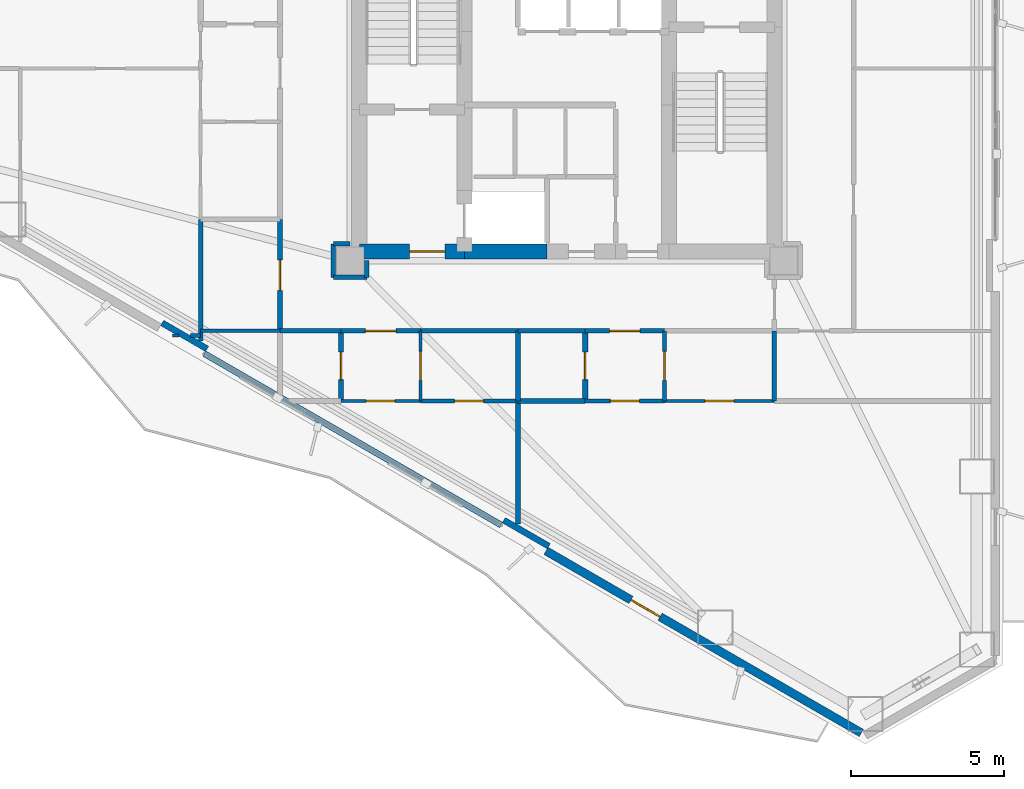
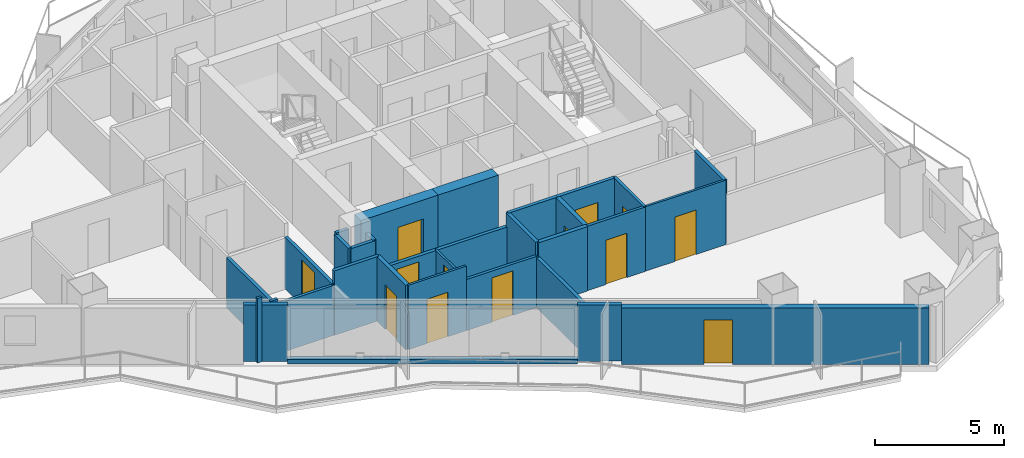
# One storey, part 16 of 23: 32 walls, 13 doors, 13 openings.
"""IFC4 building model written with IfcOpenShell, lengths in metres."""

from ifc_helpers import new_model, si_unit, direction, frame, frame_2d, origin, place, context, subcontext, project, spatial, rectangle, extrude, material, layer, layer_set, type_object, element, fill, save


model = new_model("IFC4")

# Units and contexts
model_context = context("Model", 3, precision=1e-05, world=origin(), true_north=direction((0.0, 1.0)))
body_context = subcontext(model_context, "Body", "Model", "MODEL_VIEW")
ifc_project = project(units=[si_unit("LENGTHUNIT", "METRE"), si_unit("AREAUNIT", "SQUARE_METRE"), si_unit("VOLUMEUNIT", "CUBIC_METRE"), si_unit("PLANEANGLEUNIT", "RADIAN"), si_unit("MASSUNIT", "GRAM", prefix="KILO")], contexts=[model_context])

# Site, building, storey
site_placement = place(None, origin())
site = spatial("IfcSite", under=ifc_project, at=site_placement, CompositionType="ELEMENT")
building_placement = place(site_placement, origin())
building = spatial("IfcBuilding", under=site, at=building_placement, Name="Mersakhor Tower and Convention Hall", CompositionType="ELEMENT")
storey_placement = place(building_placement, frame((0.0, 0.0, 93.300048828125)))
storey = spatial("IfcBuildingStorey", under=building, at=storey_placement, Name="L25", CompositionType="ELEMENT", Elevation=93.300048828125)

# Wall, opening, door
ifc_material_1 = material(Name="Precast concrete C45/55", Category="concrete")
ifc_layer_1 = layer(ifc_material_1, 0.27490234375)
ifc_layer_set_1 = layer_set([ifc_layer_1], Name="Precast concrete C45/55")
wall_type_1 = type_object("IfcWallType", Name="WL-EXT-275", PredefinedType="SOLIDWALL", material=ifc_layer_set_1)
wall_1_placement = place(storey_placement, frame((38.648681640625, 4.973388671875, 0.0), z_axis=(0.0, 0.0, 1.0), x_axis=(-0.866023023012, 0.500004123596, 0.0)))
wall_1 = element("IfcWall", 1, at=wall_1_placement, inside=storey, type_object=wall_type_1, Name="L25 Exterior Facade Wall F3-B1", PredefinedType="SOLIDWALL", context=body_context, shape_type="SweptSolid", body=[
    extrude(rectangle(XDim=11.9296875, YDim=0.27490234375, at=frame_2d((5.96484375, 0.0))), origin(), (0.0, 0.0, 1.0), 2.669921875),
])
opening_1_placement = place(wall_1_placement, frame((7.615966796875, 0.0, 0.0)))
opening_1 = element("IfcOpeningElement", 2, at=opening_1_placement, cuts=wall_1, Name="Opening BD-02", PredefinedType="OPENING", context=body_context, shape_type="SweptSolid", body=[
    extrude(rectangle(XDim=1.10009765625, YDim=2.10009765625, at=frame_2d((0.550048828125, 1.050048828125))), frame((0.0, 0.1474609375, 0.0), z_axis=(0.0, -1.0, 0.0), x_axis=(1.0, 0.0, 0.0)), (0.0, 0.0, 1.0), 0.294921875),
])
ifc_material_2 = material(Name="Thermally broken dark aluminium and safety glass", Category="aluminium")
door_type_1 = type_object("IfcDoorType", Name="DR-BAL-110x210", OperationType="NOTDEFINED", PredefinedType="DOOR", material=ifc_material_2)
door_1_placement = place(opening_1_placement, origin())
door_1 = element("IfcDoor", 3, at=door_1_placement, inside=storey, type_object=door_type_1, Name="L25 Balcony Terrace Door F3-B1", OperationType="SINGLE_SWING_RIGHT", OverallHeight=2.10009765625, OverallWidth=1.10009765625, PredefinedType="DOOR", context=body_context, shape_type="SweptSolid", body=[
    extrude(rectangle(XDim=1.10009765625, YDim=2.10009765625, at=frame_2d((0.550048828125, 1.050048828125))), frame((0.0, 0.02490234375, 0.0), z_axis=(0.0, -1.0, 0.0), x_axis=(1.0, 0.0, 0.0)), (0.0, 0.0, 1.0), 0.050048828125),
])
fill(opening_1, door_1)

# Walls
ifc_material_3 = material(Name="Precast concrete C40/50", Category="concrete")
ifc_layer_2 = layer(ifc_material_3, 0.199951171875)
ifc_layer_set_2 = layer_set([ifc_layer_2], Name="Precast concrete C40/50")
wall_type_2 = type_object("IfcWallType", Name="WL-PAR-200", PredefinedType="PARAPET", material=ifc_layer_set_2)
wall_2_placement = place(storey_placement, frame((26.84521484375, 11.788330078125, 0.0), z_axis=(0.0, 0.0, 1.0), x_axis=(-0.866027010039, 0.499997217876, 0.0)))
element("IfcWall", 4, at=wall_2_placement, inside=storey, type_object=wall_type_2, Name="L25 Curtain Wall Upstand Sill F3-B2", PredefinedType="PARAPET", context=body_context, shape_type="SweptSolid", body=[
    extrude(rectangle(XDim=11.2294921875, YDim=0.199951171875, at=frame_2d((5.61474609375, 0.0))), origin(), (0.0, 0.0, 1.0), 0.199951171875),
])
wall_3_placement = place(storey_placement, frame((28.407470703125, 11.09423828125, 0.0), z_axis=(0.0, 0.0, 1.0), x_axis=(-0.86605165483, 0.499954529098, 0.0)))
element("IfcWall", 5, at=wall_3_placement, inside=storey, type_object=wall_type_2, Name="L25 Column Pier Cladding Wall F3-C1", PredefinedType="PARAPET", context=body_context, shape_type="SweptSolid", body=[
    extrude(rectangle(XDim=1.699951171875, YDim=0.199951171875, at=frame_2d((0.85009765625, 0.0))), origin(), (0.0, 0.0, 1.0), 2.669921875),
])
wall_4_placement = place(storey_placement, frame((17.210205078125, 17.558837890625, 0.0), z_axis=(0.0, 0.0, 1.0), x_axis=(-0.866025371046, 0.500000056704, 0.0)))
element("IfcWall", 6, at=wall_4_placement, inside=storey, type_object=wall_type_2, Name="L25 Column Pier Cladding Wall F3-C2", PredefinedType="PARAPET", context=body_context, shape_type="SweptSolid", body=[
    extrude(rectangle(XDim=1.7001953125, YDim=0.199951171875, at=frame_2d((0.85009765625, 0.0))), origin(), (0.0, 0.0, 1.0), 2.669921875),
])

# Wall, opening, door
ifc_material_4 = material(Name="Moisture-resistant acoustic drywall studwork", Category="other")
ifc_layer_3 = layer(ifc_material_4, 0.175048828125)
ifc_layer_set_3 = layer_set([ifc_layer_3], Name="Moisture-resistant acoustic drywall studwork")
wall_type_3 = type_object("IfcWallType", Name="WL-PLM-175", PredefinedType="PLUMBINGWALL", material=ifc_layer_set_3)
wall_5_placement = place(storey_placement, frame((21.60009765625, 15.85009765625, 0.0), z_axis=(0.0, 0.0, 1.0), x_axis=(0.0, 1.0, 0.0)))
wall_5 = element("IfcWall", 7, at=wall_5_placement, inside=storey, type_object=wall_type_3, Name="L25 Interior Partition Wall P-067", PredefinedType="PLUMBINGWALL", context=body_context, shape_type="SweptSolid", body=[
    extrude(rectangle(XDim=2.2998046875, YDim=0.175048828125, at=frame_2d((1.14990234375, 0.0))), origin(), (0.0, 0.0, 1.0), 3.050048828125),
])
opening_2_placement = place(wall_5_placement, frame((0.699951171875, 0.0, 0.0)))
opening_2 = element("IfcOpeningElement", 8, at=opening_2_placement, cuts=wall_5, Name="Opening WD-01", PredefinedType="OPENING", context=body_context, shape_type="SweptSolid", body=[
    extrude(rectangle(XDim=0.89990234375, YDim=2.10009765625, at=frame_2d((0.449951171875, 1.050048828125))), frame((0.0, 0.097412109375, 0.0), z_axis=(0.0, -1.0, 0.0), x_axis=(1.0, 0.0, 0.0)), (0.0, 0.0, 1.0), 0.195068359375),
])
ifc_material_5 = material(Name="Solid-core hardwood leaf in painted steel frame", Category="steel")
door_type_2 = type_object("IfcDoorType", Name="DR-INT-WET-090x210", OperationType="NOTDEFINED", PredefinedType="DOOR", material=ifc_material_5)
door_2_placement = place(opening_2_placement, origin())
door_2 = element("IfcDoor", 9, at=door_2_placement, inside=storey, type_object=door_type_2, Name="L25 L25 Flat S3 Apartment Hall to L25 Flat S3 Bathroom Door", OperationType="SINGLE_SWING_LEFT", OverallHeight=2.10009765625, OverallWidth=0.89990234375, PredefinedType="DOOR", context=body_context, shape_type="SweptSolid", body=[
    extrude(rectangle(XDim=0.89990234375, YDim=2.10009765625, at=frame_2d((0.449951171875, 1.050048828125))), frame((0.0, 0.02490234375, 0.0), z_axis=(0.0, -1.0, 0.0), x_axis=(1.0, 0.0, 0.0)), (0.0, 0.0, 1.0), 0.050048828125),
])
fill(opening_2, door_2)

wall_6_placement = place(storey_placement, frame((29.60009765625, 15.85009765625, 0.0), z_axis=(0.0, 0.0, 1.0), x_axis=(0.0, 1.0, 0.0)))
wall_6 = element("IfcWall", 10, at=wall_6_placement, inside=storey, type_object=wall_type_3, Name="L25 Interior Partition Wall P-070", PredefinedType="PLUMBINGWALL", context=body_context, shape_type="SweptSolid", body=[
    extrude(rectangle(XDim=2.2998046875, YDim=0.175048828125, at=frame_2d((1.14990234375, 0.0))), origin(), (0.0, 0.0, 1.0), 3.050048828125),
])
opening_3_placement = place(wall_6_placement, frame((0.699951171875, 0.0, 0.0)))
opening_3 = element("IfcOpeningElement", 11, at=opening_3_placement, cuts=wall_6, Name="Opening WD-01", PredefinedType="OPENING", context=body_context, shape_type="SweptSolid", body=[
    extrude(rectangle(XDim=0.89990234375, YDim=2.10009765625, at=frame_2d((0.449951171875, 1.050048828125))), frame((0.0, 0.097412109375, 0.0), z_axis=(0.0, -1.0, 0.0), x_axis=(1.0, 0.0, 0.0)), (0.0, 0.0, 1.0), 0.195068359375),
])
door_3_placement = place(opening_3_placement, origin())
door_3 = element("IfcDoor", 12, at=door_3_placement, inside=storey, type_object=door_type_2, Name="L25 L25 Flat S4 Apartment Hall to L25 Flat S4 Bathroom Door", OperationType="SINGLE_SWING_RIGHT", OverallHeight=2.10009765625, OverallWidth=0.89990234375, PredefinedType="DOOR", context=body_context, shape_type="SweptSolid", body=[
    extrude(rectangle(XDim=0.89990234375, YDim=2.10009765625, at=frame_2d((0.449951171875, 1.050048828125))), frame((0.0, 0.02490234375, 0.0), z_axis=(0.0, -1.0, 0.0), x_axis=(1.0, 0.0, 0.0)), (0.0, 0.0, 1.0), 0.050048828125),
])
fill(opening_3, door_3)

# Wall
wall_7_placement = place(storey_placement, frame((29.60009765625, 15.85009765625, 0.0), z_axis=(0.0, 0.0, 1.0), x_axis=(-1.0, 0.0, 0.0)))
element("IfcWall", 13, at=wall_7_placement, inside=storey, type_object=wall_type_3, Name="L25 Interior Partition Wall P-087", PredefinedType="PLUMBINGWALL", context=body_context, shape_type="SweptSolid", body=[
    extrude(rectangle(XDim=2.2001953125, YDim=0.175048828125, at=frame_2d((1.10009765625, 0.0))), origin(), (0.0, 0.0, 1.0), 3.050048828125),
])

# Wall, opening, door
ifc_material_6 = material(Name="Lightweight gypsum partition", Category="other")
ifc_layer_4 = layer(ifc_material_6, 0.10009765625)
ifc_layer_set_4 = layer_set([ifc_layer_4], Name="Lightweight gypsum partition")
wall_type_4 = type_object("IfcWallType", Name="WL-PRT-100", PredefinedType="PARTITIONING", material=ifc_layer_set_4)
wall_8_placement = place(storey_placement, frame((24.199951171875, 15.85009765625, 0.0), z_axis=(0.0, 0.0, 1.0), x_axis=(-1.0, 0.0, 0.0)))
wall_8 = element("IfcWall", 14, at=wall_8_placement, inside=storey, type_object=wall_type_4, Name="L25 Interior Partition Wall P-066", PredefinedType="PARTITIONING", context=body_context, shape_type="SweptSolid", body=[
    extrude(rectangle(XDim=2.599853515625, YDim=0.10009765625, at=frame_2d((1.2998046875, 0.0))), origin(), (0.0, 0.0, 1.0), 3.050048828125),
])
opening_4_placement = place(wall_8_placement, frame((0.824951171875, 0.0, 0.0)))
opening_4 = element("IfcOpeningElement", 15, at=opening_4_placement, cuts=wall_8, Name="Opening RD-01", PredefinedType="OPENING", context=body_context, shape_type="SweptSolid", body=[
    extrude(rectangle(XDim=0.949951171875, YDim=2.10009765625, at=frame_2d((0.47509765625, 1.050048828125))), frame((0.0, 0.06005859375, 0.0), z_axis=(0.0, -1.0, 0.0), x_axis=(1.0, 0.0, 0.0)), (0.0, 0.0, 1.0), 0.1201171875),
])
ifc_material_7 = material(Name="Solid-core hardwood leaf in painted steel frame", Category="steel")
door_type_3 = type_object("IfcDoorType", Name="DR-INT-RM-095x210", OperationType="NOTDEFINED", PredefinedType="DOOR", material=ifc_material_7)
door_4_placement = place(opening_4_placement, origin())
door_4 = element("IfcDoor", 16, at=door_4_placement, inside=storey, type_object=door_type_3, Name="L25 L25 Flat S3 Apartment Hall to L25 Flat S3 Studio Living and Sleeping Room Door", OperationType="SINGLE_SWING_LEFT", OverallHeight=2.10009765625, OverallWidth=0.949951171875, PredefinedType="DOOR", context=body_context, shape_type="SweptSolid", body=[
    extrude(rectangle(XDim=0.949951171875, YDim=2.10009765625, at=frame_2d((0.47509765625, 1.050048828125))), frame((0.0, 0.02490234375, 0.0), z_axis=(0.0, -1.0, 0.0), x_axis=(1.0, 0.0, 0.0)), (0.0, 0.0, 1.0), 0.050048828125),
])
fill(opening_4, door_4)

wall_9_placement = place(storey_placement, frame((24.199951171875, 18.14990234375, 0.0), z_axis=(0.0, 0.0, 1.0), x_axis=(0.0, -1.0, 0.0)))
wall_9 = element("IfcWall", 17, at=wall_9_placement, inside=storey, type_object=wall_type_4, Name="L25 Interior Partition Wall P-068", PredefinedType="PARTITIONING", context=body_context, shape_type="SweptSolid", body=[
    extrude(rectangle(XDim=2.2998046875, YDim=0.10009765625, at=frame_2d((1.14990234375, 0.0))), origin(), (0.0, 0.0, 1.0), 2.4228515625),
])
opening_5_placement = place(wall_9_placement, frame((0.675048828125, 0.0, 0.0)))
opening_5 = element("IfcOpeningElement", 18, at=opening_5_placement, cuts=wall_9, Name="Opening RD-01", PredefinedType="OPENING", context=body_context, shape_type="SweptSolid", body=[
    extrude(rectangle(XDim=0.949951171875, YDim=2.10009765625, at=frame_2d((0.47509765625, 1.050048828125))), frame((0.0, 0.06005859375, 0.0), z_axis=(0.0, -1.0, 0.0), x_axis=(1.0, 0.0, 0.0)), (0.0, 0.0, 1.0), 0.1201171875),
])
door_5_placement = place(opening_5_placement, origin())
door_5 = element("IfcDoor", 19, at=door_5_placement, inside=storey, type_object=door_type_3, Name="L25 L25 Flat S3 Apartment Hall to L25 Flat S3 Kitchen Door", OperationType="SINGLE_SWING_RIGHT", OverallHeight=2.10009765625, OverallWidth=0.949951171875, PredefinedType="DOOR", context=body_context, shape_type="SweptSolid", body=[
    extrude(rectangle(XDim=0.949951171875, YDim=2.10009765625, at=frame_2d((0.47509765625, 1.050048828125))), frame((0.0, 0.02490234375, 0.0), z_axis=(0.0, -1.0, 0.0), x_axis=(1.0, 0.0, 0.0)), (0.0, 0.0, 1.0), 0.050048828125),
])
fill(opening_5, door_5)

wall_10_placement = place(storey_placement, frame((35.800048828125, 15.85009765625, 0.0), z_axis=(0.0, 0.0, 1.0), x_axis=(-1.0, 0.0, 0.0)))
wall_10 = element("IfcWall", 20, at=wall_10_placement, inside=storey, type_object=wall_type_4, Name="L25 Interior Partition Wall P-088", PredefinedType="PARTITIONING", context=body_context, shape_type="SweptSolid", body=[
    extrude(rectangle(XDim=3.60009765625, YDim=0.10009765625, at=frame_2d((1.800048828125, 0.0))), origin(), (0.0, 0.0, 1.0), 3.050048828125),
])
opening_6_placement = place(wall_10_placement, frame((1.324951171875, 0.0, 0.0)))
opening_6 = element("IfcOpeningElement", 21, at=opening_6_placement, cuts=wall_10, Name="Opening RD-01", PredefinedType="OPENING", context=body_context, shape_type="SweptSolid", body=[
    extrude(rectangle(XDim=0.949951171875, YDim=2.10009765625, at=frame_2d((0.47509765625, 1.050048828125))), frame((0.0, 0.06005859375, 0.0), z_axis=(0.0, -1.0, 0.0), x_axis=(1.0, 0.0, 0.0)), (0.0, 0.0, 1.0), 0.1201171875),
])
door_6_placement = place(opening_6_placement, origin())
door_6 = element("IfcDoor", 22, at=door_6_placement, inside=storey, type_object=door_type_3, Name="L25 L25 Flat S4 Kitchen to L25 Flat S4 Studio Living and Sleeping Room Door", OperationType="SINGLE_SWING_RIGHT", OverallHeight=2.10009765625, OverallWidth=0.949951171875, PredefinedType="DOOR", context=body_context, shape_type="SweptSolid", body=[
    extrude(rectangle(XDim=0.949951171875, YDim=2.10009765625, at=frame_2d((0.47509765625, 1.050048828125))), frame((0.0, 0.02490234375, 0.0), z_axis=(0.0, -1.0, 0.0), x_axis=(1.0, 0.0, 0.0)), (0.0, 0.0, 1.0), 0.050048828125),
])
fill(opening_6, door_6)

# Wall
wall_11_placement = place(storey_placement, frame((16.2861328125, 18.0, 0.0), z_axis=(0.0, 0.0, 1.0), x_axis=(-1.0, 0.0, 0.0)))
element("IfcWall", 23, at=wall_11_placement, inside=storey, type_object=wall_type_4, Name="L25 Interior Partition Wall P-112", PredefinedType="PARTITIONING", context=body_context, shape_type="SweptSolid", body=[
    extrude(rectangle(XDim=0.2001953125, YDim=0.10009765625, at=frame_2d((0.10009765625, 0.0))), origin(), (0.0, 0.0, 1.0), 3.050048828125),
])

# Wall, opening, door
ifc_material_8 = material(Name="Gypsum board acoustic partition", Category="other")
ifc_layer_5 = layer(ifc_material_8, 0.125)
ifc_layer_set_5 = layer_set([ifc_layer_5], Name="Gypsum board acoustic partition")
wall_type_5 = type_object("IfcWallType", Name="WL-PRT-125", PredefinedType="PARTITIONING", material=ifc_layer_set_5)
wall_12_placement = place(storey_placement, frame((32.199951171875, 15.85009765625, 0.0), z_axis=(0.0, 0.0, 1.0), x_axis=(-1.0, 0.0, 0.0)))
wall_12 = element("IfcWall", 24, at=wall_12_placement, inside=storey, type_object=wall_type_5, Name="L25 Interior Partition Wall P-069", PredefinedType="PARTITIONING", context=body_context, shape_type="SweptSolid", body=[
    extrude(rectangle(XDim=2.599853515625, YDim=0.125, at=frame_2d((1.2998046875, 0.0))), origin(), (0.0, 0.0, 1.0), 3.050048828125),
])
opening_7_placement = place(wall_12_placement, frame((0.824951171875, 0.0, 0.0)))
opening_7 = element("IfcOpeningElement", 25, at=opening_7_placement, cuts=wall_12, Name="Opening RD-01", PredefinedType="OPENING", context=body_context, shape_type="SweptSolid", body=[
    extrude(rectangle(XDim=0.949951171875, YDim=2.10009765625, at=frame_2d((0.47509765625, 1.050048828125))), frame((0.0, 0.072509765625, 0.0), z_axis=(0.0, -1.0, 0.0), x_axis=(1.0, 0.0, 0.0)), (0.0, 0.0, 1.0), 0.14501953125),
])
door_7_placement = place(opening_7_placement, origin())
door_7 = element("IfcDoor", 26, at=door_7_placement, inside=storey, type_object=door_type_3, Name="L25 L25 Flat S4 Apartment Hall to L25 Flat S4 Studio Living and Sleeping Room Door", OperationType="SINGLE_SWING_RIGHT", OverallHeight=2.10009765625, OverallWidth=0.949951171875, PredefinedType="DOOR", context=body_context, shape_type="SweptSolid", body=[
    extrude(rectangle(XDim=0.949951171875, YDim=2.10009765625, at=frame_2d((0.47509765625, 1.050048828125))), frame((0.0, 0.02490234375, 0.0), z_axis=(0.0, -1.0, 0.0), x_axis=(1.0, 0.0, 0.0)), (0.0, 0.0, 1.0), 0.050048828125),
])
fill(opening_7, door_7)

wall_13_placement = place(storey_placement, frame((32.199951171875, 18.14990234375, 0.0), z_axis=(0.0, 0.0, 1.0), x_axis=(0.0, -1.0, 0.0)))
wall_13 = element("IfcWall", 27, at=wall_13_placement, inside=storey, type_object=wall_type_5, Name="L25 Interior Partition Wall P-071", PredefinedType="PARTITIONING", context=body_context, shape_type="SweptSolid", body=[
    extrude(rectangle(XDim=2.2998046875, YDim=0.125, at=frame_2d((1.14990234375, 0.0))), origin(), (0.0, 0.0, 1.0), 3.050048828125),
])
opening_8_placement = place(wall_13_placement, frame((0.675048828125, 0.0, 0.0)))
opening_8 = element("IfcOpeningElement", 28, at=opening_8_placement, cuts=wall_13, Name="Opening RD-01", PredefinedType="OPENING", context=body_context, shape_type="SweptSolid", body=[
    extrude(rectangle(XDim=0.949951171875, YDim=2.10009765625, at=frame_2d((0.47509765625, 1.050048828125))), frame((0.0, 0.072509765625, 0.0), z_axis=(0.0, -1.0, 0.0), x_axis=(1.0, 0.0, 0.0)), (0.0, 0.0, 1.0), 0.14501953125),
])
door_8_placement = place(opening_8_placement, origin())
door_8 = element("IfcDoor", 29, at=door_8_placement, inside=storey, type_object=door_type_3, Name="L25 L25 Flat S4 Apartment Hall to L25 Flat S4 Kitchen Door", OperationType="SINGLE_SWING_LEFT", OverallHeight=2.10009765625, OverallWidth=0.949951171875, PredefinedType="DOOR", context=body_context, shape_type="SweptSolid", body=[
    extrude(rectangle(XDim=0.949951171875, YDim=2.10009765625, at=frame_2d((0.47509765625, 1.050048828125))), frame((0.0, 0.02490234375, 0.0), z_axis=(0.0, -1.0, 0.0), x_axis=(1.0, 0.0, 0.0)), (0.0, 0.0, 1.0), 0.050048828125),
])
fill(opening_8, door_8)

wall_14_placement = place(storey_placement, frame((27.39990234375, 15.85009765625, 0.0), z_axis=(0.0, 0.0, 1.0), x_axis=(-1.0, 0.0, 0.0)))
wall_14 = element("IfcWall", 30, at=wall_14_placement, inside=storey, type_object=wall_type_5, Name="L25 Interior Partition Wall P-085", PredefinedType="PARTITIONING", context=body_context, shape_type="SweptSolid", body=[
    extrude(rectangle(XDim=3.199951171875, YDim=0.125, at=frame_2d((1.60009765625, 0.0))), origin(), (0.0, 0.0, 1.0), 2.4228515625),
])
opening_9_placement = place(wall_14_placement, frame((1.125, 0.0, 0.0)))
opening_9 = element("IfcOpeningElement", 31, at=opening_9_placement, cuts=wall_14, Name="Opening RD-01", PredefinedType="OPENING", context=body_context, shape_type="SweptSolid", body=[
    extrude(rectangle(XDim=0.949951171875, YDim=2.10009765625, at=frame_2d((0.47509765625, 1.050048828125))), frame((0.0, 0.072509765625, 0.0), z_axis=(0.0, -1.0, 0.0), x_axis=(1.0, 0.0, 0.0)), (0.0, 0.0, 1.0), 0.14501953125),
])
door_9_placement = place(opening_9_placement, origin())
door_9 = element("IfcDoor", 32, at=door_9_placement, inside=storey, type_object=door_type_3, Name="L25 L25 Flat S3 Kitchen to L25 Flat S3 Studio Living and Sleeping Room Door", OperationType="SINGLE_SWING_LEFT", OverallHeight=2.10009765625, OverallWidth=0.949951171875, PredefinedType="DOOR", context=body_context, shape_type="SweptSolid", body=[
    extrude(rectangle(XDim=0.949951171875, YDim=2.10009765625, at=frame_2d((0.47509765625, 1.050048828125))), frame((0.0, 0.02490234375, 0.0), z_axis=(0.0, -1.0, 0.0), x_axis=(1.0, 0.0, 0.0)), (0.0, 0.0, 1.0), 0.050048828125),
])
fill(opening_9, door_9)

# Walls
wall_15_placement = place(storey_placement, frame((19.60009765625, 18.14990234375, 0.0), z_axis=(0.0, 0.0, 1.0), x_axis=(-1.0, 0.0, 0.0)))
element("IfcWall", 33, at=wall_15_placement, inside=storey, type_object=wall_type_5, Name="L25 Interior Partition Wall P-101", PredefinedType="PARTITIONING", context=body_context, shape_type="SweptSolid", body=[
    extrude(rectangle(XDim=2.60009765625, YDim=0.125, at=frame_2d((1.300048828125, 0.0))), origin(), (0.0, 0.0, 1.0), 2.364990234375),
])
wall_16_placement = place(storey_placement, frame((17.0, 18.0, 0.0), z_axis=(0.0, 0.0, 1.0), x_axis=(-1.0, 0.0, 0.0)))
element("IfcWall", 34, at=wall_16_placement, inside=storey, type_object=wall_type_5, Name="L25 Interior Partition Wall P-111", PredefinedType="PARTITIONING", context=body_context, shape_type="SweptSolid", body=[
    extrude(rectangle(XDim=0.328369140625, YDim=0.125, at=frame_2d((0.1640625, 0.0))), origin(), (0.0, 0.0, 1.0), 2.71435546875),
])
ifc_material_9 = material(Name="Fire-rated gypsum board stud partition", Category="other")
ifc_layer_6 = layer(ifc_material_9, 0.14990234375)
ifc_layer_set_6 = layer_set([ifc_layer_6], Name="Fire-rated gypsum board stud partition")
wall_type_6 = type_object("IfcWallType", Name="WL-PRT-150", PredefinedType="PARTITIONING", material=ifc_layer_set_6)
wall_17_placement = place(storey_placement, frame((21.35009765625, 19.89990234375, 0.0), z_axis=(0.0, 0.0, 1.0), x_axis=(1.0, 0.0, 0.0)))
element("IfcWall", 35, at=wall_17_placement, inside=storey, type_object=wall_type_6, Name="L25 Interior Partition Wall P-019", PredefinedType="PARTITIONING", context=body_context, shape_type="SweptSolid", body=[
    extrude(rectangle(XDim=1.099853515625, YDim=0.14990234375, at=frame_2d((0.5498046875, 0.0))), origin(), (0.0, 0.0, 1.0), 2.4228515625),
])
wall_18_placement = place(storey_placement, frame((22.449951171875, 19.89990234375, 0.0), z_axis=(0.0, 0.0, 1.0), x_axis=(0.0, 1.0, 0.0)))
element("IfcWall", 36, at=wall_18_placement, inside=storey, type_object=wall_type_6, Name="L25 Interior Partition Wall P-020", PredefinedType="PARTITIONING", context=body_context, shape_type="SweptSolid", body=[
    extrude(rectangle(XDim=0.550048828125, YDim=0.14990234375, at=frame_2d((0.27490234375, 0.0))), origin(), (0.0, 0.0, 1.0), 2.4228515625),
])

# Wall, opening, door
wall_19_placement = place(storey_placement, frame((32.199951171875, 18.14990234375, 0.0), z_axis=(0.0, 0.0, 1.0), x_axis=(-1.0, 0.0, 0.0)))
wall_19 = element("IfcWall", 37, at=wall_19_placement, inside=storey, type_object=wall_type_6, Name="L25 Interior Partition Wall P-025", PredefinedType="PARTITIONING", context=body_context, shape_type="SweptSolid", body=[
    extrude(rectangle(XDim=2.599853515625, YDim=0.14990234375, at=frame_2d((1.2998046875, 0.0))), origin(), (0.0, 0.0, 1.0), 3.050048828125),
])
opening_10_placement = place(wall_19_placement, frame((0.800048828125, 0.0, 0.0)))
opening_10 = element("IfcOpeningElement", 38, at=opening_10_placement, cuts=wall_19, Name="Opening FD-01", PredefinedType="OPENING", context=body_context, shape_type="SweptSolid", body=[
    extrude(rectangle(XDim=1.0, YDim=2.14990234375, at=frame_2d((0.5, 1.074951171875))), frame((0.0, 0.0849609375, 0.0), z_axis=(0.0, -1.0, 0.0), x_axis=(1.0, 0.0, 0.0)), (0.0, 0.0, 1.0), 0.169921875),
])
ifc_material_10 = material(Name="Fire-rated hardwood leaf and painted steel frame", Category="steel")
door_type_4 = type_object("IfcDoorType", Name="DR-INT-FLT-100x215", OperationType="NOTDEFINED", PredefinedType="DOOR", material=ifc_material_10)
door_10_placement = place(opening_10_placement, origin())
door_10 = element("IfcDoor", 39, at=door_10_placement, inside=storey, type_object=door_type_4, Name="L25 Apartment Entrance Door (Residential Ring Corridor to L25 Flat S4 Apartment Hall)", OperationType="SINGLE_SWING_LEFT", OverallHeight=2.14990234375, OverallWidth=1.0, PredefinedType="DOOR", context=body_context, shape_type="SweptSolid", body=[
    extrude(rectangle(XDim=1.0, YDim=2.14990234375, at=frame_2d((0.5, 1.074951171875))), frame((0.0, 0.02490234375, 0.0), z_axis=(0.0, -1.0, 0.0), x_axis=(1.0, 0.0, 0.0)), (0.0, 0.0, 1.0), 0.050048828125),
])
fill(opening_10, door_10)

# Walls
wall_20_placement = place(storey_placement, frame((29.60009765625, 18.14990234375, 0.0), z_axis=(0.0, 0.0, 1.0), x_axis=(-1.0, 0.0, 0.0)))
element("IfcWall", 40, at=wall_20_placement, inside=storey, type_object=wall_type_6, Name="L25 Interior Partition Wall P-026", PredefinedType="PARTITIONING", context=body_context, shape_type="SweptSolid", body=[
    extrude(rectangle(XDim=2.2001953125, YDim=0.14990234375, at=frame_2d((1.10009765625, 0.0))), origin(), (0.0, 0.0, 1.0), 3.050048828125),
])
wall_21_placement = place(storey_placement, frame((27.39990234375, 18.14990234375, 0.0), z_axis=(0.0, 0.0, 1.0), x_axis=(-1.0, 0.0, 0.0)))
element("IfcWall", 41, at=wall_21_placement, inside=storey, type_object=wall_type_6, Name="L25 Interior Partition Wall P-027", PredefinedType="PARTITIONING", context=body_context, shape_type="SweptSolid", body=[
    extrude(rectangle(XDim=3.199951171875, YDim=0.14990234375, at=frame_2d((1.60009765625, 0.0))), origin(), (0.0, 0.0, 1.0), 2.4228515625),
])

# Wall, opening, door
wall_22_placement = place(storey_placement, frame((24.199951171875, 18.14990234375, 0.0), z_axis=(0.0, 0.0, 1.0), x_axis=(-1.0, 0.0, 0.0)))
wall_22 = element("IfcWall", 42, at=wall_22_placement, inside=storey, type_object=wall_type_6, Name="L25 Interior Partition Wall P-028", PredefinedType="PARTITIONING", context=body_context, shape_type="SweptSolid", body=[
    extrude(rectangle(XDim=2.599853515625, YDim=0.14990234375, at=frame_2d((1.2998046875, 0.0))), origin(), (0.0, 0.0, 1.0), 2.4228515625),
])
opening_11_placement = place(wall_22_placement, frame((0.800048828125, 0.0, 0.0)))
opening_11 = element("IfcOpeningElement", 43, at=opening_11_placement, cuts=wall_22, Name="Opening FD-01", PredefinedType="OPENING", context=body_context, shape_type="SweptSolid", body=[
    extrude(rectangle(XDim=1.0, YDim=2.14990234375, at=frame_2d((0.5, 1.074951171875))), frame((0.0, 0.0849609375, 0.0), z_axis=(0.0, -1.0, 0.0), x_axis=(1.0, 0.0, 0.0)), (0.0, 0.0, 1.0), 0.169921875),
])
door_11_placement = place(opening_11_placement, origin())
door_11 = element("IfcDoor", 44, at=door_11_placement, inside=storey, type_object=door_type_4, Name="L25 Apartment Entrance Door (Residential Ring Corridor to L25 Flat S3 Apartment Hall)", OperationType="SINGLE_SWING_RIGHT", OverallHeight=2.14990234375, OverallWidth=1.0, PredefinedType="DOOR", context=body_context, shape_type="SweptSolid", body=[
    extrude(rectangle(XDim=1.0, YDim=2.14990234375, at=frame_2d((0.5, 1.074951171875))), frame((0.0, 0.02490234375, 0.0), z_axis=(0.0, -1.0, 0.0), x_axis=(1.0, 0.0, 0.0)), (0.0, 0.0, 1.0), 0.050048828125),
])
fill(opening_11, door_11)

# Wall
wall_23_placement = place(storey_placement, frame((21.60009765625, 18.14990234375, 0.0), z_axis=(0.0, 0.0, 1.0), x_axis=(-1.0, 0.0, 0.0)))
element("IfcWall", 45, at=wall_23_placement, inside=storey, type_object=wall_type_6, Name="L25 Interior Partition Wall P-029", PredefinedType="PARTITIONING", context=body_context, shape_type="SweptSolid", body=[
    extrude(rectangle(XDim=2.0, YDim=0.14990234375, at=frame_2d((1.0, 0.0))), origin(), (0.0, 0.0, 1.0), 3.050048828125),
])

# Wall, opening, door
wall_24_placement = place(storey_placement, frame((19.60009765625, 18.14990234375, 0.0), z_axis=(0.0, 0.0, 1.0), x_axis=(0.0, 1.0, 0.0)))
wall_24 = element("IfcWall", 46, at=wall_24_placement, inside=storey, type_object=wall_type_6, Name="L25 Interior Partition Wall P-030", PredefinedType="PARTITIONING", context=body_context, shape_type="SweptSolid", body=[
    extrude(rectangle(XDim=3.650146484375, YDim=0.14990234375, at=frame_2d((1.8251953125, 0.0))), origin(), (0.0, 0.0, 1.0), 2.4228515625),
])
opening_12_placement = place(wall_24_placement, frame((1.324951171875, 0.0, 0.0)))
opening_12 = element("IfcOpeningElement", 47, at=opening_12_placement, cuts=wall_24, Name="Opening FD-01", PredefinedType="OPENING", context=body_context, shape_type="SweptSolid", body=[
    extrude(rectangle(XDim=1.0, YDim=2.14990234375, at=frame_2d((0.5, 1.074951171875))), frame((0.0, 0.0849609375, 0.0), z_axis=(0.0, -1.0, 0.0), x_axis=(1.0, 0.0, 0.0)), (0.0, 0.0, 1.0), 0.169921875),
])
door_12_placement = place(opening_12_placement, origin())
door_12 = element("IfcDoor", 48, at=door_12_placement, inside=storey, type_object=door_type_4, Name="L25 Residential Ring Corridor to L25 West Wing Shared Laundry Room Door", OperationType="SINGLE_SWING_RIGHT", OverallHeight=2.14990234375, OverallWidth=1.0, PredefinedType="DOOR", context=body_context, shape_type="SweptSolid", body=[
    extrude(rectangle(XDim=1.0, YDim=2.14990234375, at=frame_2d((0.5, 1.074951171875))), frame((0.0, 0.02490234375, 0.0), z_axis=(0.0, -1.0, 0.0), x_axis=(1.0, 0.0, 0.0)), (0.0, 0.0, 1.0), 0.050048828125),
])
fill(opening_12, door_12)

# Walls
wall_25_placement = place(storey_placement, frame((21.89990234375, 21.0, 0.0), z_axis=(0.0, 0.0, 1.0), x_axis=(-1.0, 0.0, 0.0)))
element("IfcWall", 49, at=wall_25_placement, inside=storey, type_object=wall_type_6, Name="L25 Interior Partition Wall P-048", PredefinedType="PARTITIONING", context=body_context, shape_type="SweptSolid", body=[
    extrude(rectangle(XDim=0.5498046875, YDim=0.14990234375, at=frame_2d((0.27490234375, 0.0))), origin(), (0.0, 0.0, 1.0), 2.498291015625),
])
wall_26_placement = place(storey_placement, frame((21.35009765625, 21.0, 0.0), z_axis=(0.0, 0.0, 1.0), x_axis=(0.0, -1.0, 0.0)))
element("IfcWall", 50, at=wall_26_placement, inside=storey, type_object=wall_type_6, Name="L25 Interior Partition Wall P-049", PredefinedType="PARTITIONING", context=body_context, shape_type="SweptSolid", body=[
    extrude(rectangle(XDim=1.10009765625, YDim=0.14990234375, at=frame_2d((0.550048828125, 0.0))), origin(), (0.0, 0.0, 1.0), 2.4228515625),
])
for number, where, z_axis, x_axis, name in (
    (51, (27.39990234375, 18.14990234375, 0.0), (0.0, 0.0, 1.0), (0.0, -1.0, 0.0), "L25 Interior Partition Wall P-086"),
    (52, (35.800048828125, 18.14990234375, 0.0), (0.0, 0.0, 1.0), (0.0, -1.0, 0.0), "L25 Interior Partition Wall P-089"),
):
    element("IfcWall", number, at=place(storey_placement, frame(where, z_axis=z_axis, x_axis=x_axis)), inside=storey, type_object=wall_type_6, Name=name, PredefinedType="PARTITIONING", context=body_context, shape_type="SweptSolid", body=[
        extrude(rectangle(XDim=2.2998046875, YDim=0.14990234375, at=frame_2d((1.14990234375, 0.0))), origin(), (0.0, 0.0, 1.0), 3.050048828125),
    ])
wall_27_placement = place(storey_placement, frame((17.0, 17.823486328125, 0.0), z_axis=(0.0, 0.0, 1.0), x_axis=(0.0, 1.0, 0.0)))
element("IfcWall", 53, at=wall_27_placement, inside=storey, type_object=wall_type_6, Name="L25 Interior Partition Wall P-100", PredefinedType="PARTITIONING", context=body_context, shape_type="SweptSolid", body=[
    extrude(rectangle(XDim=3.9765625, YDim=0.14990234375, at=frame_2d((1.98828125, 0.0))), origin(), (0.0, 0.0, 1.0), 2.364990234375),
])
wall_28_placement = place(storey_placement, frame((27.39990234375, 15.85009765625, 0.0), z_axis=(0.0, 0.0, 1.0), x_axis=(0.0, -1.0, 0.0)))
element("IfcWall", 54, at=wall_28_placement, inside=storey, type_object=wall_type_6, Name="L25 Interior Partition Wall P-105", PredefinedType="PARTITIONING", context=body_context, shape_type="SweptSolid", body=[
    extrude(rectangle(XDim=4.031005859375, YDim=0.14990234375, at=frame_2d((2.015625, 0.0))), origin(), (0.0, 0.0, 1.0), 2.364990234375),
])
ifc_material_11 = material(Name="Concrete C70/85", Category="concrete")
ifc_layer_7 = layer(ifc_material_11, 0.5)
ifc_layer_set_7 = layer_set([ifc_layer_7], Name="Concrete C70/85")
wall_type_7 = type_object("IfcWallType", Name="WL-SHR-500", PredefinedType="SHEAR", material=ifc_layer_set_7)
wall_29_placement = place(storey_placement, frame((28.35009765625, 20.75, 0.0), z_axis=(0.0, 0.0, 1.0), x_axis=(-1.0, 0.0, 0.0)))
element("IfcWall", 55, at=wall_29_placement, inside=storey, type_object=wall_type_7, Name="L25 Core Wall CW-S3", PredefinedType="SHEAR", context=body_context, shape_type="SweptSolid", body=[
    extrude(rectangle(XDim=2.7001953125, YDim=0.5, at=frame_2d((1.35009765625, 0.0))), origin(), (0.0, 0.0, 1.0), 3.050048828125),
])

# Wall, opening, door
wall_30_placement = place(storey_placement, frame((25.64990234375, 20.75, 0.0), z_axis=(0.0, 0.0, 1.0), x_axis=(-1.0, 0.0, 0.0)))
wall_30 = element("IfcWall", 56, at=wall_30_placement, inside=storey, type_object=wall_type_7, Name="L25 Core Wall CW-S4", PredefinedType="SHEAR", context=body_context, shape_type="SweptSolid", body=[
    extrude(rectangle(XDim=3.449951171875, YDim=0.5, at=frame_2d((1.72509765625, 0.0))), origin(), (0.0, 0.0, 1.0), 3.050048828125),
])
opening_13_placement = place(wall_30_placement, frame((0.64990234375, 0.0, 0.0)))
opening_13 = element("IfcOpeningElement", 57, at=opening_13_placement, cuts=wall_30, Name="Opening SD-01", PredefinedType="OPENING", context=body_context, shape_type="SweptSolid", body=[
    extrude(rectangle(XDim=1.14990234375, YDim=2.14990234375, at=frame_2d((0.574951171875, 1.074951171875))), frame((0.0, 0.260009765625, 0.0), z_axis=(0.0, -1.0, 0.0), x_axis=(1.0, 0.0, 0.0)), (0.0, 0.0, 1.0), 0.52001953125),
])
ifc_material_12 = material(Name="Fire-rated hardwood leaf and painted steel frame", Category="steel")
door_type_5 = type_object("IfcDoorType", Name="DR-INT-STAIR-115x215", OperationType="NOTDEFINED", PredefinedType="DOOR", material=ifc_material_12)
door_13_placement = place(opening_13_placement, origin())
door_13 = element("IfcDoor", 58, at=door_13_placement, inside=storey, type_object=door_type_5, Name="L25 Firefighting Lobby West Fire Door", OperationType="SINGLE_SWING_LEFT", OverallHeight=2.14990234375, OverallWidth=1.14990234375, PredefinedType="DOOR", context=body_context, shape_type="SweptSolid", body=[
    extrude(rectangle(XDim=1.14990234375, YDim=2.14990234375, at=frame_2d((0.574951171875, 1.074951171875))), frame((0.0, 0.02490234375, 0.0), z_axis=(0.0, -1.0, 0.0), x_axis=(1.0, 0.0, 0.0)), (0.0, 0.0, 1.0), 0.050048828125),
])
fill(opening_13, door_13)

save(model, "model.ifc")
